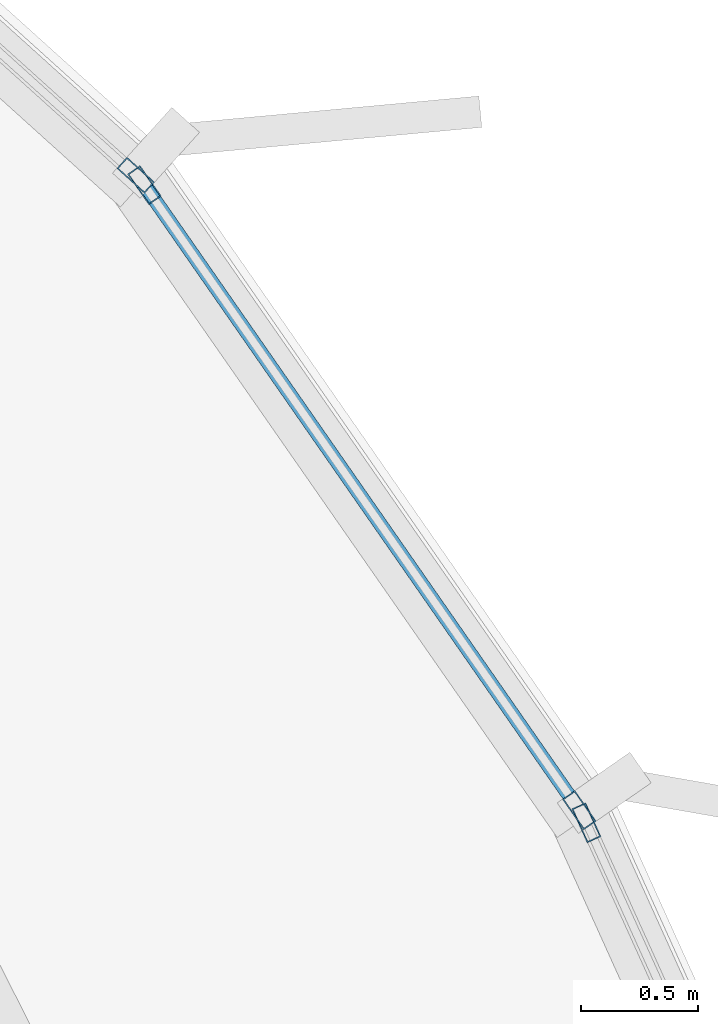
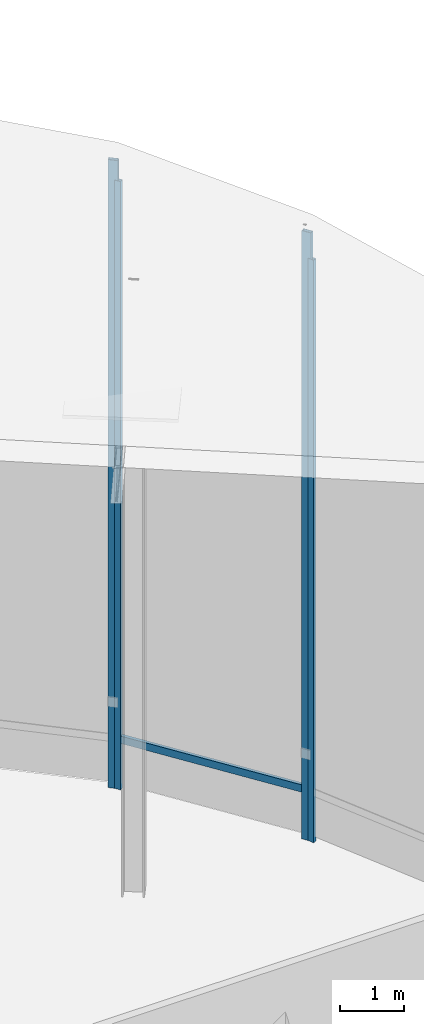
# One storey, part 21 of 36: 5 members, 3 elements without a shape of their own.
"""IFC4 building model written with IfcOpenShell, lengths in metres."""

from ifc_helpers import new_model, si_unit, direction, frame, origin, origin_2d, place, context, subcontext, project, spatial, hollow_rectangle, extrude, source, transform, mapped, material, layer, layer_set, material_profile, profile_set, type_object, element, aggregate, save


model = new_model("IFC4")

# Units and contexts
model_context = context("Model", 3, precision=1e-05, world=origin(), true_north=direction((0.0, 1.0)))
body_context = subcontext(model_context, "Body", "Model", "MODEL_VIEW")
ifc_project = project(units=[si_unit("LENGTHUNIT", "METRE"), si_unit("AREAUNIT", "SQUARE_METRE"), si_unit("VOLUMEUNIT", "CUBIC_METRE"), si_unit("PLANEANGLEUNIT", "RADIAN"), si_unit("MASSUNIT", "GRAM", prefix="KILO"), si_unit("THERMODYNAMICTEMPERATUREUNIT", "KELVIN")], contexts=[model_context])

# Site, building, storey
site_placement = place(None, origin())
site = spatial("IfcSite", under=ifc_project, at=site_placement, CompositionType="ELEMENT")
building_placement = place(site_placement, origin())
building = spatial("IfcBuilding", under=site, at=building_placement, Name="Kethvar Cultural Tower", CompositionType="ELEMENT")
storey_placement = place(building_placement, frame((0.0, 0.0, 324.300048828125)))
storey = spatial("IfcBuildingStorey", under=building, at=storey_placement, Name="L86", CompositionType="ELEMENT", Elevation=324.300048828125)

# Curtain wall, member
ifc_material = material(Name="Aluminium 6063-T6", Category="aluminium")
ifc_layer = layer(ifc_material, 0.179931640625, Name="Aluminium 6063-T6", Category="aluminium")
ifc_layer_set = layer_set([ifc_layer], Name="Aluminium 6063-T6 (180 mm)")
curtain_wall_type = type_object("IfcCurtainWallType", Name="CW-SYS-06-CROWN", PredefinedType="NOTDEFINED", material=ifc_layer_set)
curtain_wall_1_placement = place(storey_placement, origin())
curtain_wall_1 = element("IfcCurtainWall", 1, at=curtain_wall_1_placement, inside=storey, type_object=curtain_wall_type, Name="L86 Curtain Wall Run 35", PredefinedType="NOTDEFINED")
ifc_material_profile_1 = material_profile(ifc_material, hollow_rectangle(XDim=0.06494140625, YDim=0.159912109375, WallThickness=0.0048828125, at=origin_2d()), Name="Aluminium 6063-T6 — RHS160x65x5")
ifc_profile_set_1 = profile_set([ifc_material_profile_1], Name="Aluminium 6063-T6 — RHS160x65x5")
member_type_1 = type_object("IfcMemberType", Name="CW-SYS-06-CROWN-MUL", PredefinedType="MULLION", material=ifc_profile_set_1)
shared_shape_1 = source(origin(), body_context, "Body", "SweptSolid", [
    extrude(hollow_rectangle(XDim=0.06494140625, YDim=0.159912109375, WallThickness=0.0048828125, at=origin_2d()), origin(), (0.0, 0.0, 1.0), 11.900390625),
])
member_1_placement = place(storey_placement, frame((59.017578125, 46.981201171875, 0.0), z_axis=(0.0, 0.0, 1.0), x_axis=(-0.669986203616, -0.742373549478, 0.0)))
member_1 = element("IfcMember", 2, at=member_1_placement, type_object=member_type_1, Name="CW-L86-R35 Mullion 1", PredefinedType="MULLION", context=body_context, shape_type="MappedRepresentation", body=[
    mapped(shared_shape_1, transform((0.0, 0.0, 0.0), scale=1.0)),
])
aggregate(curtain_wall_1, [member_1])

# Curtain wall, members
curtain_wall_2_placement = place(storey_placement, origin())
curtain_wall_2 = element("IfcCurtainWall", 3, at=curtain_wall_2_placement, inside=storey, type_object=curtain_wall_type, Name="L86 Curtain Wall Run 34", PredefinedType="NOTDEFINED")
shared_shape_2 = source(origin(), body_context, "Body", "SweptSolid", [
    extrude(hollow_rectangle(XDim=0.06494140625, YDim=0.159912109375, WallThickness=0.0048828125, at=origin_2d()), origin(), (0.0, 0.0, 1.0), 11.52587890625),
])
member_2_placement = place(storey_placement, frame((60.920166015625, 44.2578125, 0.0), z_axis=(0.0, 0.0, 1.0), x_axis=(-0.820850271661, -0.571143442153, 0.0)))
member_2 = element("IfcMember", 4, at=member_2_placement, type_object=member_type_1, Name="CW-L86-R34 Mullion 1", PredefinedType="MULLION", context=body_context, shape_type="MappedRepresentation", body=[
    mapped(shared_shape_2, transform((0.0, 0.0, 0.0), scale=1.0)),
])
member_3_placement = place(storey_placement, frame((59.054931640625, 46.938720703125, 0.0), z_axis=(0.0, 0.0, 1.0), x_axis=(-0.820850271661, -0.571143442153, 0.0)))
member_3 = element("IfcMember", 5, at=member_3_placement, type_object=member_type_1, Name="CW-L86-R34 Mullion 2", PredefinedType="MULLION", context=body_context, shape_type="MappedRepresentation", body=[
    mapped(shared_shape_2, transform((0.0, 0.0, 0.0), scale=1.0)),
])

# Curtain wall, member
curtain_wall_3_placement = place(storey_placement, origin())
curtain_wall_3 = element("IfcCurtainWall", 6, at=curtain_wall_3_placement, inside=storey, type_object=curtain_wall_type, Name="L86 Curtain Wall Run 33", PredefinedType="NOTDEFINED")
shared_shape_3 = source(origin(), body_context, "Body", "SweptSolid", [
    extrude(hollow_rectangle(XDim=0.06494140625, YDim=0.159912109375, WallThickness=0.0048828125, at=origin_2d()), origin(), (0.0, 0.0, 1.0), 11.035400390625),
])
member_4_placement = place(storey_placement, frame((60.95068359375, 44.203857421875, 0.0), z_axis=(0.0, 0.0, 1.0), x_axis=(-0.911338624867, -0.41165751642, 0.0)))
member_4 = element("IfcMember", 7, at=member_4_placement, type_object=member_type_1, Name="CW-L86-R33 Mullion 2", PredefinedType="MULLION", context=body_context, shape_type="MappedRepresentation", body=[
    mapped(shared_shape_3, transform((0.0, 0.0, 0.0), scale=1.0)),
])
aggregate(curtain_wall_3, [member_4])

# Member
ifc_material_profile_2 = material_profile(ifc_material, hollow_rectangle(XDim=0.06005859375, YDim=0.139892578125, WallThickness=0.0048828125, at=origin_2d()), Name="Aluminium 6063-T6 — RHS140x60x5")
ifc_profile_set_2 = profile_set([ifc_material_profile_2], Name="Aluminium 6063-T6 — RHS140x60x5")
member_type_2 = type_object("IfcMemberType", Name="CW-SYS-06-CROWN-TRN", PredefinedType="USERDEFINED", material=ifc_profile_set_2)
shared_shape_4 = source(origin(), body_context, "Body", "SweptSolid", [
    extrude(hollow_rectangle(XDim=0.06005859375, YDim=0.139892578125, WallThickness=0.0048828125, at=origin_2d()), origin(), (0.0, 0.0, 1.0), 3.25634765625),
])
member_5_placement = place(storey_placement, frame((60.91748046875, 44.26171875, 0.949951171875), z_axis=(-0.571130384586, 0.820859356895, 0.0), x_axis=(-0.820859356895, -0.571130384586, 0.0)))
member_5 = element("IfcMember", 8, at=member_5_placement, type_object=member_type_2, Name="CW-L86-R34 Transom 1", ObjectType="TRANSOM", PredefinedType="USERDEFINED", context=body_context, shape_type="MappedRepresentation", body=[
    mapped(shared_shape_4, transform((0.0, 0.0, 0.0), scale=1.0)),
])

aggregate(curtain_wall_2, [member_2, member_3, member_5])

save(model, "model.ifc")
